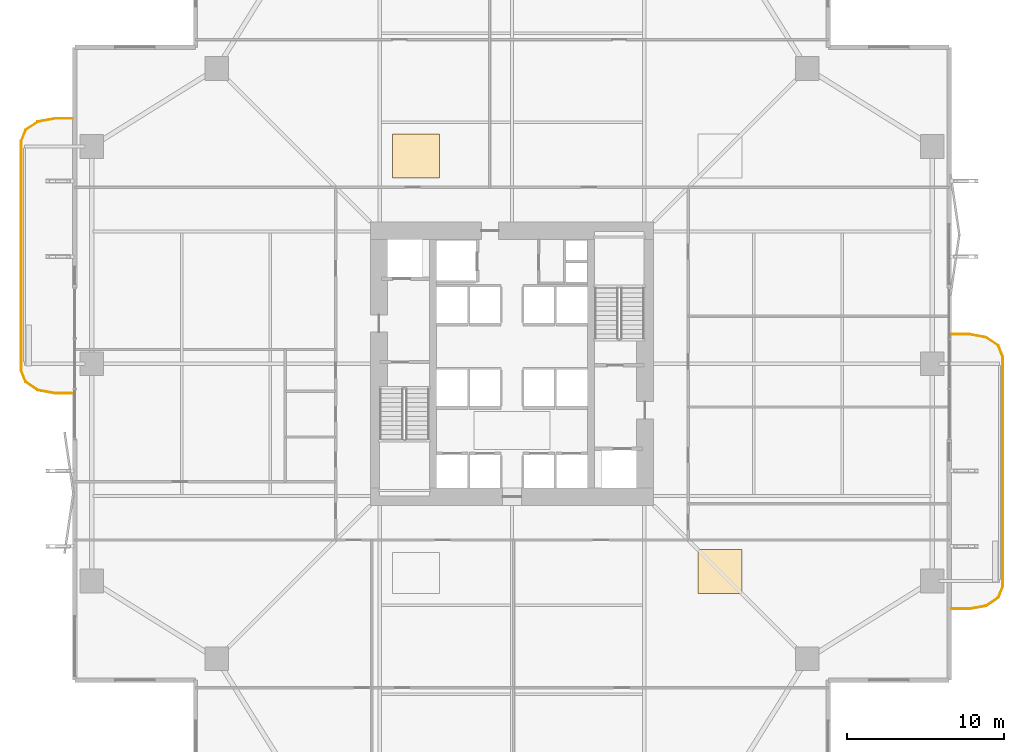
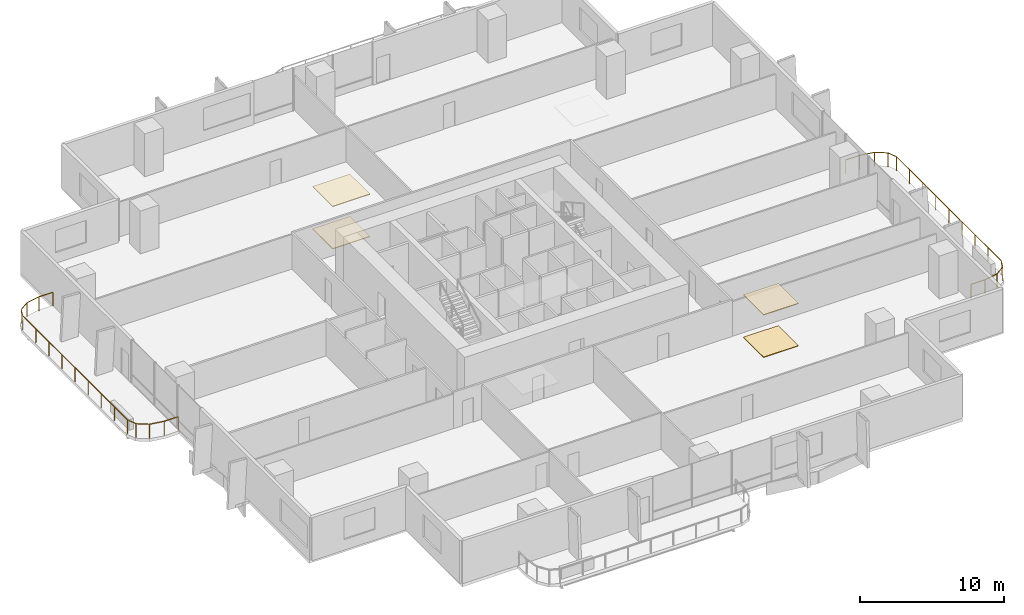
# One storey, part 22 of 23: 4 coverings, 2 railings.
"""IFC4 building model written with IfcOpenShell, lengths in metres."""

from ifc_helpers import new_model, si_unit, direction, frame, origin, origin_2d, place, context, subcontext, project, spatial, polyline, rectangle, outline, extrude, material, layer, layer_set, type_object, element, save


model = new_model("IFC4")

# Units and contexts
model_context = context("Model", 3, precision=1e-05, world=origin(), true_north=direction((0.0, 1.0)))
body_context = subcontext(model_context, "Body", "Model", "MODEL_VIEW")
ifc_project = project(units=[si_unit("LENGTHUNIT", "METRE"), si_unit("AREAUNIT", "SQUARE_METRE"), si_unit("VOLUMEUNIT", "CUBIC_METRE"), si_unit("PLANEANGLEUNIT", "RADIAN"), si_unit("MASSUNIT", "GRAM", prefix="KILO")], contexts=[model_context])

# Site, building, storey
site_placement = place(None, origin())
site = spatial("IfcSite", under=ifc_project, at=site_placement, CompositionType="ELEMENT")
building_placement = place(site_placement, origin())
building = spatial("IfcBuilding", under=site, at=building_placement, Name="Belovzor Exchange Tower", CompositionType="ELEMENT")
storey_placement = place(building_placement, frame((0.0, 0.0, 76.800048828125)))
storey = spatial("IfcBuildingStorey", under=building, at=storey_placement, Name="L18", CompositionType="ELEMENT", Elevation=76.800048828125)

# Railings
ifc_material_1 = material(Name="Stainless Steel and Laminated Safety Glass", Category="steel")
railing_type = type_object("IfcRailingType", Name="Laminated Glass & Stainless Steel Balcony Balustrade 1200", PredefinedType="BALUSTRADE", material=ifc_material_1)
railing_1_placement = place(storey_placement, frame((56.7099609375, 13.22998046875, 0.0)))
element("IfcRailing", 1, at=railing_1_placement, inside=storey, type_object=railing_type, Name="GR-1 Balcony Balustrade L18 East", PredefinedType="BALUSTRADE", context=body_context, shape_type="SweptSolid", body=[
    extrude(rectangle(XDim=0.048095703125, YDim=0.048095703125, at=origin_2d()), frame((0.0, 0.0, 1.17578125), z_axis=(1.0, 0.0, 0.0), x_axis=(0.0, 1.0, 0.0)), (0.0, 0.0, 1.0), 1.133056640625),
    extrude(rectangle(XDim=0.048095703125, YDim=0.048095703125, at=origin_2d()), frame((1.133056640625, 0.0, 1.17578125), z_axis=(0.983644145941, 0.180122719713, 0.0), x_axis=(-0.180122719713, 0.983644145941, 0.0)), (0.0, 0.0, 1.0), 1.09375),
    extrude(rectangle(XDim=0.048095703125, YDim=0.048095703125, at=origin_2d()), frame((2.208984375, 0.197021484375, 1.17578125), z_axis=(0.826614792125, 0.562768145367, 0.0), x_axis=(-0.562768145367, 0.826614792125, 0.0)), (0.0, 0.0, 1.0), 0.9326171875),
    extrude(rectangle(XDim=0.048095703125, YDim=0.048095703125, at=origin_2d()), frame((2.97998046875, 0.721923828125, 1.17578125), z_axis=(0.365504480807, 0.930809580156, 0.0), x_axis=(-0.930809580156, 0.365504480807, 0.0)), (0.0, 0.0, 1.0), 0.76611328125),
    extrude(rectangle(XDim=0.048095703125, YDim=0.048095703125, at=origin_2d()), frame((3.260009765625, 1.43505859375, 1.17578125), z_axis=(0.0, 1.0, 0.0), x_axis=(-1.0, 0.0, 0.0)), (0.0, 0.0, 1.0), 14.570068359375),
    extrude(rectangle(XDim=0.048095703125, YDim=0.048095703125, at=origin_2d()), frame((3.260009765625, 16.005126953125, 1.17578125), z_axis=(-0.365612923861, 0.930766990125, 0.0), x_axis=(-0.930766990125, -0.365612923861, 0.0)), (0.0, 0.0, 1.0), 0.765869140625),
    extrude(rectangle(XDim=0.048095703125, YDim=0.048095703125, at=origin_2d()), frame((2.97998046875, 16.718017578125, 1.17578125), z_axis=(-0.826614792125, 0.562768145367, 0.0), x_axis=(-0.562768145367, -0.826614792125, 0.0)), (0.0, 0.0, 1.0), 0.9326171875),
    extrude(rectangle(XDim=0.048095703125, YDim=0.048095703125, at=origin_2d()), frame((2.208984375, 17.242919921875, 1.17578125), z_axis=(-0.983644145941, 0.180122719713, 0.0), x_axis=(-0.180122719713, -0.983644145941, 0.0)), (0.0, 0.0, 1.0), 1.09375),
    extrude(rectangle(XDim=0.048095703125, YDim=0.048095703125, at=origin_2d()), frame((1.133056640625, 17.43994140625, 1.17578125), z_axis=(-1.0, 0.0, 0.0), x_axis=(0.0, -1.0, 0.0)), (0.0, 0.0, 1.0), 1.133056640625),
    extrude(rectangle(XDim=0.0419921875, YDim=0.0419921875, at=origin_2d()), origin(), (0.0, 0.0, 1.0), 1.15185546875),
    extrude(rectangle(XDim=0.0419921875, YDim=0.0419921875, at=origin_2d()), frame((1.133056640625, 0.0, 0.0)), (0.0, 0.0, 1.0), 1.15185546875),
    extrude(rectangle(XDim=0.0419921875, YDim=0.0419921875, at=origin_2d()), frame((2.208984375, 0.197021484375, 0.0)), (0.0, 0.0, 1.0), 1.15185546875),
    extrude(rectangle(XDim=0.0419921875, YDim=0.0419921875, at=origin_2d()), frame((2.97998046875, 0.721923828125, 0.0)), (0.0, 0.0, 1.0), 1.15185546875),
    extrude(rectangle(XDim=0.0419921875, YDim=0.0419921875, at=origin_2d()), frame((3.260009765625, 1.43505859375, 0.0)), (0.0, 0.0, 1.0), 1.15185546875),
    extrude(rectangle(XDim=0.0419921875, YDim=0.0419921875, at=origin_2d()), frame((3.260009765625, 3.25634765625, 0.0)), (0.0, 0.0, 1.0), 1.15185546875),
    extrude(rectangle(XDim=0.0419921875, YDim=0.0419921875, at=origin_2d()), frame((3.260009765625, 5.07763671875, 0.0)), (0.0, 0.0, 1.0), 1.15185546875),
    extrude(rectangle(XDim=0.0419921875, YDim=0.0419921875, at=origin_2d()), frame((3.260009765625, 6.89892578125, 0.0)), (0.0, 0.0, 1.0), 1.15185546875),
    extrude(rectangle(XDim=0.0419921875, YDim=0.0419921875, at=origin_2d()), frame((3.260009765625, 8.72021484375, 0.0)), (0.0, 0.0, 1.0), 1.15185546875),
    extrude(rectangle(XDim=0.0419921875, YDim=0.0419921875, at=origin_2d()), frame((3.260009765625, 10.541259765625, 0.0)), (0.0, 0.0, 1.0), 1.15185546875),
    extrude(rectangle(XDim=0.0419921875, YDim=0.0419921875, at=origin_2d()), frame((3.260009765625, 12.362548828125, 0.0)), (0.0, 0.0, 1.0), 1.15185546875),
    extrude(rectangle(XDim=0.0419921875, YDim=0.0419921875, at=origin_2d()), frame((3.260009765625, 14.183837890625, 0.0)), (0.0, 0.0, 1.0), 1.15185546875),
    extrude(rectangle(XDim=0.0419921875, YDim=0.0419921875, at=origin_2d()), frame((3.260009765625, 16.005126953125, 0.0)), (0.0, 0.0, 1.0), 1.15185546875),
    extrude(rectangle(XDim=0.0419921875, YDim=0.0419921875, at=origin_2d()), frame((2.97998046875, 16.718017578125, 0.0)), (0.0, 0.0, 1.0), 1.15185546875),
    extrude(rectangle(XDim=0.0419921875, YDim=0.0419921875, at=origin_2d()), frame((2.208984375, 17.242919921875, 0.0)), (0.0, 0.0, 1.0), 1.15185546875),
    extrude(rectangle(XDim=0.0419921875, YDim=0.0419921875, at=origin_2d()), frame((1.133056640625, 17.43994140625, 0.0)), (0.0, 0.0, 1.0), 1.15185546875),
    extrude(rectangle(XDim=0.0419921875, YDim=0.0419921875, at=origin_2d()), frame((0.0, 17.43994140625, 0.0)), (0.0, 0.0, 1.0), 1.15185546875),
])
railing_2_placement = place(storey_placement, frame((0.889892578125, 44.3701171875, 0.0)))
element("IfcRailing", 2, at=railing_2_placement, inside=storey, type_object=railing_type, Name="GR-1 Balcony Balustrade L18 West", PredefinedType="BALUSTRADE", context=body_context, shape_type="SweptSolid", body=[
    extrude(rectangle(XDim=0.048095703125, YDim=0.048095703125, at=origin_2d()), frame((0.0, 0.0, 1.17578125), z_axis=(-1.0, 0.0, 0.0), x_axis=(0.0, -1.0, 0.0)), (0.0, 0.0, 1.0), 1.1328125),
    extrude(rectangle(XDim=0.048095703125, YDim=0.048095703125, at=origin_2d()), frame((-1.1328125, 0.0, 1.17578125), z_axis=(-0.983651385113, -0.180083182347, 0.0), x_axis=(0.180083182347, -0.983651385113, 0.0)), (0.0, 0.0, 1.0), 1.093994140625),
    extrude(rectangle(XDim=0.048095703125, YDim=0.048095703125, at=origin_2d()), frame((-2.208984375, -0.197021484375, 1.17578125), z_axis=(-0.826493025367, -0.56294695933, 0.0), x_axis=(0.56294695933, -0.826493025367, 0.0)), (0.0, 0.0, 1.0), 0.932861328125),
    extrude(rectangle(XDim=0.048095703125, YDim=0.048095703125, at=origin_2d()), frame((-2.97998046875, -0.72216796875, 1.17578125), z_axis=(-0.365612923861, -0.930766990125, 0.0), x_axis=(0.930766990125, -0.365612923861, 0.0)), (0.0, 0.0, 1.0), 0.765869140625),
    extrude(rectangle(XDim=0.048095703125, YDim=0.048095703125, at=origin_2d()), frame((-3.260009765625, -1.43505859375, 1.17578125), z_axis=(0.0, -1.0, 0.0), x_axis=(1.0, 0.0, 0.0)), (0.0, 0.0, 1.0), 14.570068359375),
    extrude(rectangle(XDim=0.048095703125, YDim=0.048095703125, at=origin_2d()), frame((-3.260009765625, -16.005126953125, 1.17578125), z_axis=(0.365612923861, -0.930766990125, 0.0), x_axis=(0.930766990125, 0.365612923861, 0.0)), (0.0, 0.0, 1.0), 0.765869140625),
    extrude(rectangle(XDim=0.048095703125, YDim=0.048095703125, at=origin_2d()), frame((-2.97998046875, -16.718017578125, 1.17578125), z_axis=(0.826493025367, -0.56294695933, 0.0), x_axis=(0.56294695933, 0.826493025367, 0.0)), (0.0, 0.0, 1.0), 0.932861328125),
    extrude(rectangle(XDim=0.048095703125, YDim=0.048095703125, at=origin_2d()), frame((-2.208984375, -17.2431640625, 1.17578125), z_axis=(0.983651385113, -0.180083182347, 0.0), x_axis=(0.180083182347, 0.983651385113, 0.0)), (0.0, 0.0, 1.0), 1.093994140625),
    extrude(rectangle(XDim=0.048095703125, YDim=0.048095703125, at=origin_2d()), frame((-1.1328125, -17.440185546875, 1.17578125), z_axis=(1.0, 0.0, 0.0), x_axis=(0.0, 1.0, 0.0)), (0.0, 0.0, 1.0), 1.1328125),
    extrude(rectangle(XDim=0.0419921875, YDim=0.0419921875, at=origin_2d()), origin(), (0.0, 0.0, 1.0), 1.15185546875),
    extrude(rectangle(XDim=0.0419921875, YDim=0.0419921875, at=origin_2d()), frame((-1.1328125, 0.0, 0.0)), (0.0, 0.0, 1.0), 1.15185546875),
    extrude(rectangle(XDim=0.0419921875, YDim=0.0419921875, at=origin_2d()), frame((-2.208984375, -0.197021484375, 0.0)), (0.0, 0.0, 1.0), 1.15185546875),
    extrude(rectangle(XDim=0.0419921875, YDim=0.0419921875, at=origin_2d()), frame((-2.97998046875, -0.72216796875, 0.0)), (0.0, 0.0, 1.0), 1.15185546875),
    extrude(rectangle(XDim=0.0419921875, YDim=0.0419921875, at=origin_2d()), frame((-3.260009765625, -1.43505859375, 0.0)), (0.0, 0.0, 1.0), 1.15185546875),
    extrude(rectangle(XDim=0.0419921875, YDim=0.0419921875, at=origin_2d()), frame((-3.260009765625, -3.25634765625, 0.0)), (0.0, 0.0, 1.0), 1.15185546875),
    extrude(rectangle(XDim=0.0419921875, YDim=0.0419921875, at=origin_2d()), frame((-3.260009765625, -5.07763671875, 0.0)), (0.0, 0.0, 1.0), 1.15185546875),
    extrude(rectangle(XDim=0.0419921875, YDim=0.0419921875, at=origin_2d()), frame((-3.260009765625, -6.89892578125, 0.0)), (0.0, 0.0, 1.0), 1.15185546875),
    extrude(rectangle(XDim=0.0419921875, YDim=0.0419921875, at=origin_2d()), frame((-3.260009765625, -8.72021484375, 0.0)), (0.0, 0.0, 1.0), 1.15185546875),
    extrude(rectangle(XDim=0.0419921875, YDim=0.0419921875, at=origin_2d()), frame((-3.260009765625, -10.541259765625, 0.0)), (0.0, 0.0, 1.0), 1.15185546875),
    extrude(rectangle(XDim=0.0419921875, YDim=0.0419921875, at=origin_2d()), frame((-3.260009765625, -12.362548828125, 0.0)), (0.0, 0.0, 1.0), 1.15185546875),
    extrude(rectangle(XDim=0.0419921875, YDim=0.0419921875, at=origin_2d()), frame((-3.260009765625, -14.183837890625, 0.0)), (0.0, 0.0, 1.0), 1.15185546875),
    extrude(rectangle(XDim=0.0419921875, YDim=0.0419921875, at=origin_2d()), frame((-3.260009765625, -16.005126953125, 0.0)), (0.0, 0.0, 1.0), 1.15185546875),
    extrude(rectangle(XDim=0.0419921875, YDim=0.0419921875, at=origin_2d()), frame((-2.97998046875, -16.718017578125, 0.0)), (0.0, 0.0, 1.0), 1.15185546875),
    extrude(rectangle(XDim=0.0419921875, YDim=0.0419921875, at=origin_2d()), frame((-2.208984375, -17.2431640625, 0.0)), (0.0, 0.0, 1.0), 1.15185546875),
    extrude(rectangle(XDim=0.0419921875, YDim=0.0419921875, at=origin_2d()), frame((-1.1328125, -17.440185546875, 0.0)), (0.0, 0.0, 1.0), 1.15185546875),
    extrude(rectangle(XDim=0.0419921875, YDim=0.0419921875, at=origin_2d()), frame((0.0, -17.440185546875, 0.0)), (0.0, 0.0, 1.0), 1.15185546875),
])

# Coverings
ifc_material_2 = material(Name="Perforated Powder-Coated Aluminium", Category="aluminium")
ifc_layer_1 = layer(ifc_material_2, 0.06005859375)
ifc_layer_set_1 = layer_set([ifc_layer_1], Name="Perforated Powder-Coated Aluminium")
covering_type_1 = type_object("IfcCoveringType", Name="Perforated Acoustic Metal Tile Suspended Ceiling 60", PredefinedType="CEILING", material=ifc_layer_set_1)
covering_1_placement = place(storey_placement, frame((0.0, 0.0, 3.58984375)))
element("IfcCovering", 3, at=covering_1_placement, inside=storey, type_object=covering_type_1, Name="CLG-AC60 Suspended Ceiling CLG-L18-Z1", PredefinedType="CEILING", context=body_context, shape_type="SweptSolid", body=[
    extrude(outline(polyline([(40.60009765625, 14.199951171875), (43.39990234375, 14.199951171875), (43.39990234375, 17.0), (40.60009765625, 17.0), (40.60009765625, 14.199951171875)])), origin(), (0.0, 0.0, 1.0), 0.06005859375),
])
covering_2_placement = place(storey_placement, frame((0.0, 0.0, 3.58984375)))
element("IfcCovering", 4, at=covering_2_placement, inside=storey, type_object=covering_type_1, Name="CLG-AC60 Suspended Ceiling CLG-L18-Z3", PredefinedType="CEILING", context=body_context, shape_type="SweptSolid", body=[
    extrude(outline(polyline([(21.199951171875, 40.60009765625), (24.199951171875, 40.60009765625), (24.199951171875, 43.39990234375), (21.199951171875, 43.39990234375), (21.199951171875, 40.60009765625)])), origin(), (0.0, 0.0, 1.0), 0.06005859375),
])
ifc_material_3 = material(Name="Polished Natural Granite Tile", Category="masonry")
ifc_layer_2 = layer(ifc_material_3, 0.050048828125)
ifc_layer_set_2 = layer_set([ifc_layer_2], Name="Polished Natural Granite Tile")
covering_type_2 = type_object("IfcCoveringType", Name="Polished Karelian Granite & Raised Access Floor Finish 50", PredefinedType="FLOORING", material=ifc_layer_set_2)
covering_3_placement = place(storey_placement, origin())
element("IfcCovering", 5, at=covering_3_placement, inside=storey, type_object=covering_type_2, Name="FLR-GR50 Floor Finish FLR-L18-Z1", PredefinedType="FLOORING", context=body_context, shape_type="SweptSolid", body=[
    extrude(outline(polyline([(40.60009765625, 14.199951171875), (43.39990234375, 14.199951171875), (43.39990234375, 17.0), (40.60009765625, 17.0), (40.60009765625, 14.199951171875)])), origin(), (0.0, 0.0, 1.0), 0.050048828125),
])
covering_4_placement = place(storey_placement, origin())
element("IfcCovering", 6, at=covering_4_placement, inside=storey, type_object=covering_type_2, Name="FLR-GR50 Floor Finish FLR-L18-Z3", PredefinedType="FLOORING", context=body_context, shape_type="SweptSolid", body=[
    extrude(outline(polyline([(21.199951171875, 40.60009765625), (24.199951171875, 40.60009765625), (24.199951171875, 43.39990234375), (21.199951171875, 43.39990234375), (21.199951171875, 40.60009765625)])), origin(), (0.0, 0.0, 1.0), 0.050048828125),
])

save(model, "model.ifc")
